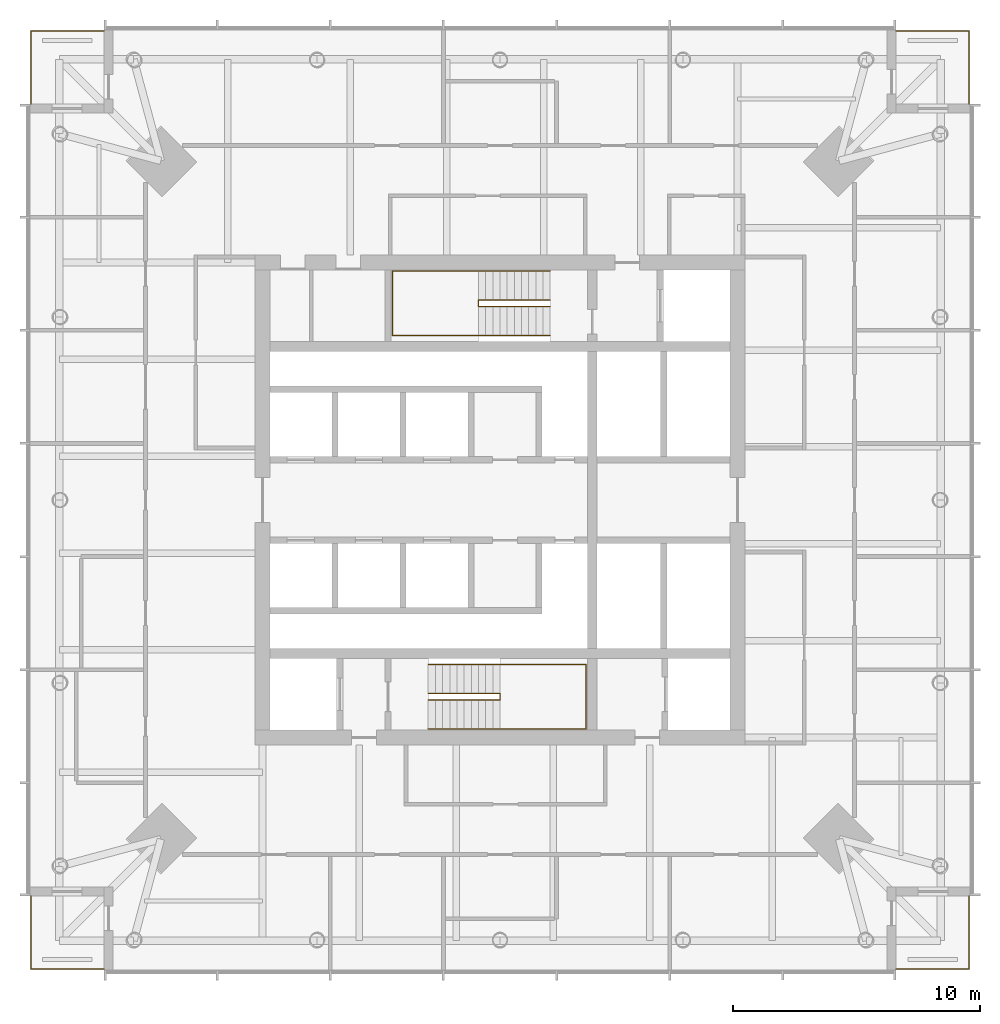
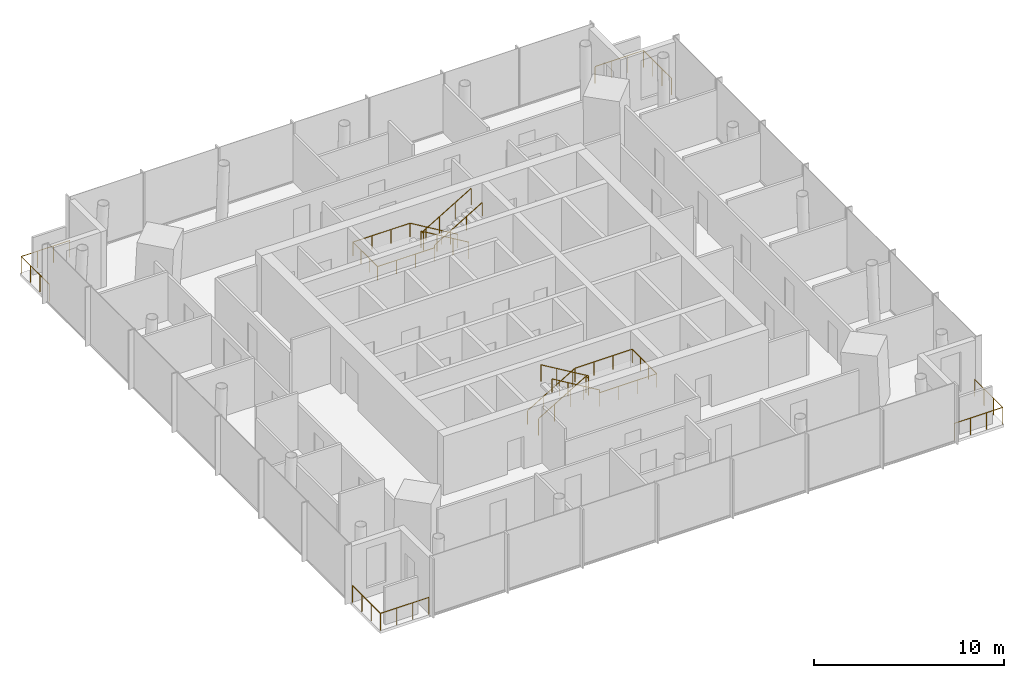
# One storey, part 7 of 7: 8 railings.
"""IFC4 building model written with IfcOpenShell, lengths in metres."""

import ifcopenshell
import ifcopenshell.guid

model = None  # the IFC model being written
_history = None  # IfcOwnerHistory: only IFC2X3 demands one
_inside = {}  # id of a spatial element -> (the spatial element, [elements in it])
_under = {}  # id of a project, library or spatial element -> (it, [spatial elements below it])
_declared = {}  # id of a project -> (the project, [libraries it declares])
_typed = {}  # id of a type object -> (the type object, [elements of that type])
_made_of = {}  # id of a material, layer set ... -> (it, [elements and type objects made of it])


def new_model(schema):
    """Start an empty IFC model of exactly this schema.

    Asked for "IFC4X3", IfcOpenShell would pick the latest addendum, in which some entities
    have other attributes; the version numbers below select the first issue.
    IFC2X3 requires an IfcOwnerHistory on every rooted entity: one is made here for all.
    """
    global model, _history
    if schema == "IFC4X3":
        model = ifcopenshell.file(schema_version=(4, 3, 0, 0))
    else:
        model = ifcopenshell.file(schema=schema)
    _inside.clear()
    _under.clear()
    _declared.clear()
    _typed.clear()
    _made_of.clear()
    _history = None
    if model.schema == "IFC2X3":
        org = make("IfcOrganization", Name="unknown")
        user = make(
            "IfcPersonAndOrganization",
            ThePerson=make("IfcPerson", FamilyName="unknown"),
            TheOrganization=org,
        )
        app = make(
            "IfcApplication",
            ApplicationDeveloper=org,
            Version="unknown",
            ApplicationFullName="unknown",
            ApplicationIdentifier="unknown",
        )
        _history = make(
            "IfcOwnerHistory",
            OwningUser=user,
            OwningApplication=app,
            ChangeAction="ADDED",
            CreationDate=0,
        )
    return model


def make(cls, **values):
    """One entity of the class cls with the attributes given. An attribute that is None is left unset."""
    return model.create_entity(
        cls, **{name: value for name, value in values.items() if value is not None}
    )


def rooted(cls, **values):
    """An entity with a GlobalId (a new one), such as an element, a storey or a relation."""
    return make(cls, GlobalId=ifcopenshell.guid.new(), OwnerHistory=_history, **values)


def si_unit(unit_type, name, prefix=None):
    """IfcSIUnit, for example si_unit("LENGTHUNIT", "METRE", prefix="MILLI")."""
    return make("IfcSIUnit", UnitType=unit_type, Prefix=prefix, Name=name)


def assignment(units):
    """IfcUnitAssignment: the units of a project."""
    return None if units is None else make("IfcUnitAssignment", Units=units)


def point(xyz):
    """IfcCartesianPoint."""
    return None if xyz is None else make("IfcCartesianPoint", Coordinates=xyz)


def direction(xyz):
    """IfcDirection."""
    return None if xyz is None else make("IfcDirection", DirectionRatios=xyz)


def frame(location, z_axis=None, x_axis=None):
    """IfcAxis2Placement3D, a coordinate frame: its origin and axes. An axis left out is left unset."""
    return make(
        "IfcAxis2Placement3D",
        Location=point(location),
        Axis=direction(z_axis),
        RefDirection=direction(x_axis),
    )


def frame_2d(location, x_axis=None):
    """IfcAxis2Placement2D, a coordinate frame in the plane: its origin and x axis."""
    return make(
        "IfcAxis2Placement2D", Location=point(location), RefDirection=direction(x_axis)
    )


def origin():
    """The frame at (0, 0, 0) with its axes left unset."""
    return frame((0.0, 0.0, 0.0))


def origin_2d():
    """The frame at (0, 0) in the plane with its x axis left unset."""
    return frame_2d((0.0, 0.0))


def place(relative_to, where):
    """IfcLocalPlacement: puts the frame where relative to a parent placement (None: the world)."""
    return make(
        "IfcLocalPlacement", PlacementRelTo=relative_to, RelativePlacement=where
    )


def context(
    kind, dimensions, precision=None, world=None, true_north=None, identifier=None
):
    """IfcGeometricRepresentationContext, for example the 3D "Model" context."""
    return make(
        "IfcGeometricRepresentationContext",
        ContextIdentifier=identifier,
        ContextType=kind,
        CoordinateSpaceDimension=dimensions,
        Precision=precision,
        WorldCoordinateSystem=world,
        TrueNorth=true_north,
    )


def subcontext(parent, identifier, kind, view, scale=None):
    """IfcGeometricRepresentationSubContext, for example "Body" below "Model"."""
    return make(
        "IfcGeometricRepresentationSubContext",
        ContextIdentifier=identifier,
        ContextType=kind,
        ParentContext=parent,
        TargetScale=scale,
        TargetView=view,
    )


def project(units=None, contexts=None):
    """IfcProject with its units and contexts."""
    return rooted(
        "IfcProject",
        Name="project",
        RepresentationContexts=contexts,
        UnitsInContext=assignment(units),
    )


def spatial(cls, under=None, at=None, **own):
    """A site, building, storey or space (cls), placed at a placement, below another one or the project."""
    s = rooted(cls, ObjectPlacement=at, **own)
    if under is not None:
        _under.setdefault(under.id(), (under, []))[1].append(s)
    return s


def profile(cls, at=None, kind="AREA", **sizes):
    """A parametric profile (cls). Its sizes go by their IFC names, for example OverallWidth=200.0."""
    return make(cls, ProfileType=kind, Position=at, **sizes)


def circle(**sizes):
    """IfcCircleProfileDef."""
    return profile("IfcCircleProfileDef", **sizes)


def extrude(swept, where, along, depth):
    """IfcExtrudedAreaSolid: the profile swept, set in the frame where, extruded along a direction by depth."""
    return make(
        "IfcExtrudedAreaSolid",
        SweptArea=swept,
        Position=where,
        ExtrudedDirection=direction(along),
        Depth=depth,
    )


def shape(context_of_items, identifier, shape_type, items):
    """IfcShapeRepresentation: the items that make up one representation, for example the "Body"."""
    return make(
        "IfcShapeRepresentation",
        ContextOfItems=context_of_items,
        RepresentationIdentifier=identifier,
        RepresentationType=shape_type,
        Items=items,
    )


def material(Name=None, Category=None):
    """IfcMaterial."""
    return make("IfcMaterial", Name=Name, Category=Category)


def made_of(thing, what):
    """Note that an element or type object is made of a material, layer set ...; save() writes the relation."""
    if what is not None:
        _made_of.setdefault(what.id(), (what, []))[1].append(thing)
    return thing


def type_object(cls, material=None, **own):
    """A type object (cls), such as IfcWallType, which elements share."""
    return made_of(rooted(cls, **own), material)


def element(
    cls,
    number,
    at=None,
    inside=None,
    cuts=None,
    type_object=None,
    material=None,
    context=None,
    identifier="Body",
    shape_type=None,
    held_by="IfcProductDefinitionShape",
    body=None,
    shapes=None,
    **own,
):
    """One element of the class cls, such as IfcWall. Its Tag is "e" and its number.

    at: its placement. inside: the storey or other place that contains it. cuts: it is an
    opening in that element (IfcRelVoidsElement). A single representation is given by context,
    identifier, shape_type and body (its items); several are given by shapes. held_by: the class
    of the entity that holds the representations. save() writes the other relations.
    """
    e = rooted(cls, Tag="e%d" % number, ObjectPlacement=at, **own)
    if body is not None:
        shapes = [shape(context, identifier, shape_type, body)]
    if shapes is not None:
        e.Representation = make(held_by, Representations=shapes)
    if inside is not None:
        _inside.setdefault(inside.id(), (inside, []))[1].append(e)
    if cuts is not None:
        rooted(
            "IfcRelVoidsElement", RelatingBuildingElement=cuts, RelatedOpeningElement=e
        )
    if type_object is not None:
        _typed.setdefault(type_object.id(), (type_object, []))[1].append(e)
    return made_of(e, material)


def aggregate(whole, parts):
    """IfcRelAggregates: a whole, such as a stair, and the parts it consists of."""
    return rooted("IfcRelAggregates", RelatingObject=whole, RelatedObjects=parts)


def save(model, path):
    """Write the relations noted so far, then the file.

    IfcRelAggregates (storeys below a building ...), IfcRelContainedInSpatialStructure (elements
    in a storey), IfcRelDefinesByType, IfcRelAssociatesMaterial and IfcRelDeclares: one each for
    every whole, place, type object, material and project.
    """
    for whole, parts in _under.values():
        aggregate(whole, parts)
    for where, things in _inside.values():
        rooted(
            "IfcRelContainedInSpatialStructure",
            RelatedElements=things,
            RelatingStructure=where,
        )
    for kind, things in _typed.values():
        rooted("IfcRelDefinesByType", RelatedObjects=things, RelatingType=kind)
    for what, things in _made_of.values():
        rooted("IfcRelAssociatesMaterial", RelatedObjects=things, RelatingMaterial=what)
    for by, libraries in _declared.values():
        rooted("IfcRelDeclares", RelatingContext=by, RelatedDefinitions=libraries)
    model.write(path)


model = new_model("IFC4")

# Units and contexts
model_context = context("Model", 3, precision=1e-05, world=origin(), true_north=direction((0.0, 1.0)))
body_context = subcontext(model_context, "Body", "Model", "MODEL_VIEW")
ifc_project = project(units=[si_unit("LENGTHUNIT", "METRE"), si_unit("AREAUNIT", "SQUARE_METRE"), si_unit("VOLUMEUNIT", "CUBIC_METRE"), si_unit("PLANEANGLEUNIT", "RADIAN"), si_unit("MASSUNIT", "GRAM", prefix="KILO")], contexts=[model_context])

# Site, building, storey
site_placement = place(None, origin())
site = spatial("IfcSite", under=ifc_project, at=site_placement, CompositionType="ELEMENT")
building_placement = place(site_placement, origin())
building = spatial("IfcBuilding", under=site, at=building_placement, Name="Ostroluk Exchange", CompositionType="ELEMENT")
storey_placement = place(building_placement, frame((0.0, 0.0, 214.800048828125)))
storey = spatial("IfcBuildingStorey", under=building, at=storey_placement, Name="L55", CompositionType="ELEMENT", Elevation=214.800048828125)

# Railings
ifc_material_1 = material(Name="Stainless steel", Category="steel")
railing_type_1 = type_object("IfcRailingType", Name="Guard 1100 stainless steel", PredefinedType="GUARDRAIL", material=ifc_material_1)
railing_1_placement = place(storey_placement, frame((61.0, 27.050048828125, 0.0)))
element("IfcRailing", 1, at=railing_1_placement, inside=storey, type_object=railing_type_1, Name="Office tower SE balcony guard L55", PredefinedType="GUARDRAIL", context=body_context, shape_type="SweptSolid", body=[
    extrude(circle(Radius=0.02392578125, at=origin_2d()), frame((0.0, 0.0, 1.076171875), z_axis=(1.0, 0.0, 0.0), x_axis=(0.0, 1.0, 0.0)), (0.0, 0.0, 1.0), 2.949951171875),
    extrude(circle(Radius=0.02392578125, at=origin_2d()), frame((2.949951171875, 0.0, 1.076171875), z_axis=(0.0, 1.0, 0.0), x_axis=(-1.0, 0.0, 0.0)), (0.0, 0.0, 1.0), 2.949951171875),
    extrude(circle(Radius=0.02099609375, at=origin_2d()), origin(), (0.0, 0.0, 1.0), 1.052001953125),
    extrude(circle(Radius=0.02099609375, at=origin_2d()), frame((0.9833984375, 0.0, 0.0)), (0.0, 0.0, 1.0), 1.052001953125),
    extrude(circle(Radius=0.02099609375, at=origin_2d()), frame((1.966552734375, 0.0, 0.0)), (0.0, 0.0, 1.0), 1.052001953125),
    extrude(circle(Radius=0.02099609375, at=origin_2d()), frame((2.949951171875, 0.0, 0.0)), (0.0, 0.0, 1.0), 1.052001953125),
    extrude(circle(Radius=0.02099609375, at=origin_2d()), frame((2.949951171875, 0.9833984375, 0.0)), (0.0, 0.0, 1.0), 1.052001953125),
    extrude(circle(Radius=0.02099609375, at=origin_2d()), frame((2.949951171875, 1.966552734375, 0.0)), (0.0, 0.0, 1.0), 1.052001953125),
    extrude(circle(Radius=0.02099609375, at=origin_2d()), frame((2.949951171875, 2.949951171875, 0.0)), (0.0, 0.0, 1.0), 1.052001953125),
])
railing_2_placement = place(storey_placement, frame((61.0, 64.949951171875, 0.0)))
element("IfcRailing", 2, at=railing_2_placement, inside=storey, type_object=railing_type_1, Name="Office tower NE balcony guard L55", PredefinedType="GUARDRAIL", context=body_context, shape_type="SweptSolid", body=[
    extrude(circle(Radius=0.02392578125, at=origin_2d()), frame((0.0, 0.0, 1.076171875), z_axis=(1.0, 0.0, 0.0), x_axis=(0.0, 1.0, 0.0)), (0.0, 0.0, 1.0), 2.949951171875),
    extrude(circle(Radius=0.02392578125, at=origin_2d()), frame((2.949951171875, 0.0, 1.076171875), z_axis=(0.0, -1.0, 0.0), x_axis=(1.0, 0.0, 0.0)), (0.0, 0.0, 1.0), 2.949951171875),
    extrude(circle(Radius=0.02099609375, at=origin_2d()), origin(), (0.0, 0.0, 1.0), 1.052001953125),
    extrude(circle(Radius=0.02099609375, at=origin_2d()), frame((0.9833984375, 0.0, 0.0)), (0.0, 0.0, 1.0), 1.052001953125),
    extrude(circle(Radius=0.02099609375, at=origin_2d()), frame((1.966552734375, 0.0, 0.0)), (0.0, 0.0, 1.0), 1.052001953125),
    extrude(circle(Radius=0.02099609375, at=origin_2d()), frame((2.949951171875, 0.0, 0.0)), (0.0, 0.0, 1.0), 1.052001953125),
    extrude(circle(Radius=0.02099609375, at=origin_2d()), frame((2.949951171875, -0.9833984375, 0.0)), (0.0, 0.0, 1.0), 1.052001953125),
    extrude(circle(Radius=0.02099609375, at=origin_2d()), frame((2.949951171875, -1.966552734375, 0.0)), (0.0, 0.0, 1.0), 1.052001953125),
    extrude(circle(Radius=0.02099609375, at=origin_2d()), frame((2.949951171875, -2.949951171875, 0.0)), (0.0, 0.0, 1.0), 1.052001953125),
])
railing_3_placement = place(storey_placement, frame((29.0, 64.949951171875, 0.0)))
element("IfcRailing", 3, at=railing_3_placement, inside=storey, type_object=railing_type_1, Name="Office tower NW balcony guard L55", PredefinedType="GUARDRAIL", context=body_context, shape_type="SweptSolid", body=[
    extrude(circle(Radius=0.02392578125, at=origin_2d()), frame((0.0, 0.0, 1.076171875), z_axis=(-1.0, 0.0, 0.0), x_axis=(0.0, -1.0, 0.0)), (0.0, 0.0, 1.0), 2.949951171875),
    extrude(circle(Radius=0.02392578125, at=origin_2d()), frame((-2.949951171875, 0.0, 1.076171875), z_axis=(0.0, -1.0, 0.0), x_axis=(1.0, 0.0, 0.0)), (0.0, 0.0, 1.0), 2.949951171875),
    extrude(circle(Radius=0.02099609375, at=origin_2d()), origin(), (0.0, 0.0, 1.0), 1.052001953125),
    extrude(circle(Radius=0.02099609375, at=origin_2d()), frame((-0.9833984375, 0.0, 0.0)), (0.0, 0.0, 1.0), 1.052001953125),
    extrude(circle(Radius=0.02099609375, at=origin_2d()), frame((-1.966552734375, 0.0, 0.0)), (0.0, 0.0, 1.0), 1.052001953125),
    extrude(circle(Radius=0.02099609375, at=origin_2d()), frame((-2.949951171875, 0.0, 0.0)), (0.0, 0.0, 1.0), 1.052001953125),
    extrude(circle(Radius=0.02099609375, at=origin_2d()), frame((-2.949951171875, -0.9833984375, 0.0)), (0.0, 0.0, 1.0), 1.052001953125),
    extrude(circle(Radius=0.02099609375, at=origin_2d()), frame((-2.949951171875, -1.966552734375, 0.0)), (0.0, 0.0, 1.0), 1.052001953125),
    extrude(circle(Radius=0.02099609375, at=origin_2d()), frame((-2.949951171875, -2.949951171875, 0.0)), (0.0, 0.0, 1.0), 1.052001953125),
])
railing_4_placement = place(storey_placement, frame((29.0, 27.050048828125, 0.0)))
element("IfcRailing", 4, at=railing_4_placement, inside=storey, type_object=railing_type_1, Name="Office tower SW balcony guard L55", PredefinedType="GUARDRAIL", context=body_context, shape_type="SweptSolid", body=[
    extrude(circle(Radius=0.02392578125, at=origin_2d()), frame((0.0, 0.0, 1.076171875), z_axis=(-1.0, 0.0, 0.0), x_axis=(0.0, -1.0, 0.0)), (0.0, 0.0, 1.0), 2.949951171875),
    extrude(circle(Radius=0.02392578125, at=origin_2d()), frame((-2.949951171875, 0.0, 1.076171875), z_axis=(0.0, 1.0, 0.0), x_axis=(-1.0, 0.0, 0.0)), (0.0, 0.0, 1.0), 2.949951171875),
    extrude(circle(Radius=0.02099609375, at=origin_2d()), origin(), (0.0, 0.0, 1.0), 1.052001953125),
    extrude(circle(Radius=0.02099609375, at=origin_2d()), frame((-0.9833984375, 0.0, 0.0)), (0.0, 0.0, 1.0), 1.052001953125),
    extrude(circle(Radius=0.02099609375, at=origin_2d()), frame((-1.966552734375, 0.0, 0.0)), (0.0, 0.0, 1.0), 1.052001953125),
    extrude(circle(Radius=0.02099609375, at=origin_2d()), frame((-2.949951171875, 0.0, 0.0)), (0.0, 0.0, 1.0), 1.052001953125),
    extrude(circle(Radius=0.02099609375, at=origin_2d()), frame((-2.949951171875, 0.9833984375, 0.0)), (0.0, 0.0, 1.0), 1.052001953125),
    extrude(circle(Radius=0.02099609375, at=origin_2d()), frame((-2.949951171875, 1.966552734375, 0.0)), (0.0, 0.0, 1.0), 1.052001953125),
    extrude(circle(Radius=0.02099609375, at=origin_2d()), frame((-2.949951171875, 2.949951171875, 0.0)), (0.0, 0.0, 1.0), 1.052001953125),
])
ifc_material_2 = material(Name="Steel S355", Category="steel")
railing_type_2 = type_object("IfcRailingType", Name="Stair guard 1100", PredefinedType="GUARDRAIL", material=ifc_material_2)
railing_5_placement = place(storey_placement, frame((42.10009765625, 38.179931640625, 0.172607421875)))
element("IfcRailing", 5, at=railing_5_placement, inside=storey, type_object=railing_type_2, Name="Stair T1-S1 guard L55", PredefinedType="GUARDRAIL", context=body_context, shape_type="SweptSolid", body=[
    extrude(circle(Radius=0.02392578125, at=origin_2d()), frame((0.0, 0.0, 1.076171875), z_axis=(0.859141464434, 0.0, 0.511738159696), x_axis=(0.0, 1.0, 0.0)), (0.0, 0.0, 1.0), 3.375244140625),
    extrude(circle(Radius=0.02392578125, at=origin_2d()), frame((2.89990234375, 0.0, 2.80322265625), z_axis=(0.0, -1.0, 0.0), x_axis=(1.0, 0.0, 0.0)), (0.0, 0.0, 1.0), 0.260009765625),
    extrude(circle(Radius=0.02392578125, at=origin_2d()), frame((2.89990234375, -0.260009765625, 2.80322265625), z_axis=(0.0, 0.0, 1.0), x_axis=(1.0, 0.0, 0.0)), (0.0, 0.0, 1.0), 0.1728515625),
    extrude(circle(Radius=0.02392578125, at=origin_2d()), frame((2.89990234375, -0.260009765625, 2.97607421875), z_axis=(-0.859141464434, 0.0, 0.511738159696), x_axis=(0.0, -1.0, 0.0)), (0.0, 0.0, 1.0), 3.375244140625),
    extrude(circle(Radius=0.02099609375, at=origin_2d()), origin(), (0.0, 0.0, 1.0), 1.052001953125),
    extrude(circle(Radius=0.02099609375, at=origin_2d()), frame((0.966552734375, 0.0, 0.57568359375)), (0.0, 0.0, 1.0), 1.052001953125),
    extrude(circle(Radius=0.02099609375, at=origin_2d()), frame((1.933349609375, 0.0, 1.151611328125)), (0.0, 0.0, 1.0), 1.052001953125),
    extrude(circle(Radius=0.02099609375, at=origin_2d()), frame((2.89990234375, 0.0, 1.727294921875)), (0.0, 0.0, 1.0), 1.052001953125),
    extrude(circle(Radius=0.02099609375, at=origin_2d()), frame((2.89990234375, -0.260009765625, 1.727294921875)), (0.0, 0.0, 1.0), 1.052001953125),
    extrude(circle(Radius=0.02099609375, at=origin_2d()), frame((2.89990234375, -0.260009765625, 1.900146484375)), (0.0, 0.0, 1.0), 1.052001953125),
    extrude(circle(Radius=0.02099609375, at=origin_2d()), frame((1.933349609375, -0.260009765625, 2.475830078125)), (0.0, 0.0, 1.0), 1.052001953125),
    extrude(circle(Radius=0.02099609375, at=origin_2d()), frame((0.966552734375, -0.260009765625, 3.0517578125)), (0.0, 0.0, 1.0), 1.052001953125),
    extrude(circle(Radius=0.02099609375, at=origin_2d()), frame((0.0, -0.260009765625, 3.62744140625)), (0.0, 0.0, 1.0), 1.052001953125),
])
railing_6_placement = place(storey_placement, frame((47.030029296875, 54.080078125, 0.172607421875)))
element("IfcRailing", 6, at=railing_6_placement, inside=storey, type_object=railing_type_2, Name="Stair T1-S2 guard L55", PredefinedType="GUARDRAIL", context=body_context, shape_type="SweptSolid", body=[
    extrude(circle(Radius=0.02392578125, at=origin_2d()), frame((0.0, 0.0, 1.076171875), z_axis=(-0.859160404282, 0.0, 0.51170636083), x_axis=(0.0, -1.0, 0.0)), (0.0, 0.0, 1.0), 3.37548828125),
    extrude(circle(Radius=0.02392578125, at=origin_2d()), frame((-2.900146484375, 0.0, 2.80322265625), z_axis=(0.0, -1.0, 0.0), x_axis=(1.0, 0.0, 0.0)), (0.0, 0.0, 1.0), 0.260009765625),
    extrude(circle(Radius=0.02392578125, at=origin_2d()), frame((-2.900146484375, -0.260009765625, 2.80322265625), z_axis=(0.0, 0.0, 1.0), x_axis=(1.0, 0.0, 0.0)), (0.0, 0.0, 1.0), 0.1728515625),
    extrude(circle(Radius=0.02392578125, at=origin_2d()), frame((-2.900146484375, -0.260009765625, 2.97607421875), z_axis=(0.859160404282, 0.0, 0.51170636083), x_axis=(0.0, 1.0, 0.0)), (0.0, 0.0, 1.0), 3.37548828125),
    extrude(circle(Radius=0.02099609375, at=origin_2d()), origin(), (0.0, 0.0, 1.0), 1.052001953125),
    extrude(circle(Radius=0.02099609375, at=origin_2d()), frame((-0.966796875, 0.0, 0.57568359375)), (0.0, 0.0, 1.0), 1.052001953125),
    extrude(circle(Radius=0.02099609375, at=origin_2d()), frame((-1.933349609375, 0.0, 1.151611328125)), (0.0, 0.0, 1.0), 1.052001953125),
    extrude(circle(Radius=0.02099609375, at=origin_2d()), frame((-2.900146484375, 0.0, 1.727294921875)), (0.0, 0.0, 1.0), 1.052001953125),
    extrude(circle(Radius=0.02099609375, at=origin_2d()), frame((-2.900146484375, -0.260009765625, 1.727294921875)), (0.0, 0.0, 1.0), 1.052001953125),
    extrude(circle(Radius=0.02099609375, at=origin_2d()), frame((-2.900146484375, -0.260009765625, 1.900146484375)), (0.0, 0.0, 1.0), 1.052001953125),
    extrude(circle(Radius=0.02099609375, at=origin_2d()), frame((-1.933349609375, -0.260009765625, 2.475830078125)), (0.0, 0.0, 1.0), 1.052001953125),
    extrude(circle(Radius=0.02099609375, at=origin_2d()), frame((-0.966796875, -0.260009765625, 3.0517578125)), (0.0, 0.0, 1.0), 1.052001953125),
    extrude(circle(Radius=0.02099609375, at=origin_2d()), frame((0.0, -0.260009765625, 3.62744140625)), (0.0, 0.0, 1.0), 1.052001953125),
])
ifc_material_3 = material(Name="Stainless steel", Category="steel")
railing_type_3 = type_object("IfcRailingType", Name="Stair handrail 900", PredefinedType="HANDRAIL", material=ifc_material_3)
railing_7_placement = place(storey_placement, frame((42.10009765625, 39.35009765625, 0.172607421875)))
element("IfcRailing", 7, at=railing_7_placement, inside=storey, type_object=railing_type_3, Name="Stair T1-S1 handrail L55", PredefinedType="HANDRAIL", context=body_context, shape_type="SweptSolid", body=[
    extrude(circle(Radius=0.02392578125, at=origin_2d()), frame((0.0, 0.0, 0.8759765625), z_axis=(0.859141464434, 0.0, 0.511738159696), x_axis=(0.0, 1.0, 0.0)), (0.0, 0.0, 1.0), 3.375244140625),
    extrude(circle(Radius=0.02392578125, at=origin_2d()), frame((2.89990234375, 0.0, 2.60302734375), z_axis=(1.0, 0.0, 0.0), x_axis=(0.0, 1.0, 0.0)), (0.0, 0.0, 1.0), 3.47998046875),
    extrude(circle(Radius=0.02392578125, at=origin_2d()), frame((6.3798828125, 0.0, 2.60302734375), z_axis=(0.0, -1.0, 0.0), x_axis=(1.0, 0.0, 0.0)), (0.0, 0.0, 1.0), 2.60009765625),
    extrude(circle(Radius=0.02392578125, at=origin_2d()), frame((6.3798828125, -2.60009765625, 2.60302734375), z_axis=(-1.0, 0.0, 0.0), x_axis=(0.0, -1.0, 0.0)), (0.0, 0.0, 1.0), 3.47998046875),
    extrude(circle(Radius=0.02392578125, at=origin_2d()), frame((2.89990234375, -2.60009765625, 2.60302734375), z_axis=(0.0, 0.0, 1.0), x_axis=(1.0, 0.0, 0.0)), (0.0, 0.0, 1.0), 0.1728515625),
    extrude(circle(Radius=0.02392578125, at=origin_2d()), frame((2.89990234375, -2.60009765625, 2.77587890625), z_axis=(-0.859141464434, 0.0, 0.511738159696), x_axis=(0.0, -1.0, 0.0)), (0.0, 0.0, 1.0), 3.375244140625),
    extrude(circle(Radius=0.02099609375, at=origin_2d()), origin(), (0.0, 0.0, 1.0), 0.851806640625),
    extrude(circle(Radius=0.02099609375, at=origin_2d()), frame((0.966552734375, 0.0, 0.57568359375)), (0.0, 0.0, 1.0), 0.851806640625),
    extrude(circle(Radius=0.02099609375, at=origin_2d()), frame((1.933349609375, 0.0, 1.151611328125)), (0.0, 0.0, 1.0), 0.851806640625),
    extrude(circle(Radius=0.02099609375, at=origin_2d()), frame((2.89990234375, 0.0, 1.727294921875)), (0.0, 0.0, 1.0), 0.851806640625),
    extrude(circle(Radius=0.02099609375, at=origin_2d()), frame((4.059814453125, 0.0, 1.727294921875)), (0.0, 0.0, 1.0), 0.851806640625),
    extrude(circle(Radius=0.02099609375, at=origin_2d()), frame((5.219970703125, 0.0, 1.727294921875)), (0.0, 0.0, 1.0), 0.851806640625),
    extrude(circle(Radius=0.02099609375, at=origin_2d()), frame((6.3798828125, 0.0, 1.727294921875)), (0.0, 0.0, 1.0), 0.851806640625),
    extrude(circle(Radius=0.02099609375, at=origin_2d()), frame((6.3798828125, -0.86669921875, 1.727294921875)), (0.0, 0.0, 1.0), 0.851806640625),
    extrude(circle(Radius=0.02099609375, at=origin_2d()), frame((6.3798828125, -1.7333984375, 1.727294921875)), (0.0, 0.0, 1.0), 0.851806640625),
    extrude(circle(Radius=0.02099609375, at=origin_2d()), frame((6.3798828125, -2.60009765625, 1.727294921875)), (0.0, 0.0, 1.0), 0.851806640625),
    extrude(circle(Radius=0.02099609375, at=origin_2d()), frame((5.219970703125, -2.60009765625, 1.727294921875)), (0.0, 0.0, 1.0), 0.851806640625),
    extrude(circle(Radius=0.02099609375, at=origin_2d()), frame((4.059814453125, -2.60009765625, 1.727294921875)), (0.0, 0.0, 1.0), 0.851806640625),
    extrude(circle(Radius=0.02099609375, at=origin_2d()), frame((2.89990234375, -2.60009765625, 1.727294921875)), (0.0, 0.0, 1.0), 0.851806640625),
    extrude(circle(Radius=0.02099609375, at=origin_2d()), frame((2.89990234375, -2.60009765625, 1.900146484375)), (0.0, 0.0, 1.0), 0.851806640625),
    extrude(circle(Radius=0.02099609375, at=origin_2d()), frame((1.933349609375, -2.60009765625, 2.475830078125)), (0.0, 0.0, 1.0), 0.851806640625),
    extrude(circle(Radius=0.02099609375, at=origin_2d()), frame((0.966552734375, -2.60009765625, 3.0517578125)), (0.0, 0.0, 1.0), 0.851806640625),
    extrude(circle(Radius=0.02099609375, at=origin_2d()), frame((0.0, -2.60009765625, 3.62744140625)), (0.0, 0.0, 1.0), 0.851806640625),
])
railing_8_placement = place(storey_placement, frame((47.030029296875, 55.25, 0.172607421875)))
element("IfcRailing", 8, at=railing_8_placement, inside=storey, type_object=railing_type_3, Name="Stair T1-S2 handrail L55", PredefinedType="HANDRAIL", context=body_context, shape_type="SweptSolid", body=[
    extrude(circle(Radius=0.02392578125, at=origin_2d()), frame((0.0, 0.0, 0.8759765625), z_axis=(-0.859160404282, 0.0, 0.51170636083), x_axis=(0.0, -1.0, 0.0)), (0.0, 0.0, 1.0), 3.37548828125),
    extrude(circle(Radius=0.02392578125, at=origin_2d()), frame((-2.900146484375, 0.0, 2.60302734375), z_axis=(-1.0, 0.0, 0.0), x_axis=(0.0, -1.0, 0.0)), (0.0, 0.0, 1.0), 3.47998046875),
    extrude(circle(Radius=0.02392578125, at=origin_2d()), frame((-6.380126953125, 0.0, 2.60302734375), z_axis=(0.0, -1.0, 0.0), x_axis=(1.0, 0.0, 0.0)), (0.0, 0.0, 1.0), 2.60009765625),
    extrude(circle(Radius=0.02392578125, at=origin_2d()), frame((-6.380126953125, -2.60009765625, 2.60302734375), z_axis=(1.0, 0.0, 0.0), x_axis=(0.0, 1.0, 0.0)), (0.0, 0.0, 1.0), 3.47998046875),
    extrude(circle(Radius=0.02392578125, at=origin_2d()), frame((-2.900146484375, -2.60009765625, 2.60302734375), z_axis=(0.0, 0.0, 1.0), x_axis=(1.0, 0.0, 0.0)), (0.0, 0.0, 1.0), 0.1728515625),
    extrude(circle(Radius=0.02392578125, at=origin_2d()), frame((-2.900146484375, -2.60009765625, 2.77587890625), z_axis=(0.859160404282, 0.0, 0.51170636083), x_axis=(0.0, 1.0, 0.0)), (0.0, 0.0, 1.0), 3.37548828125),
    extrude(circle(Radius=0.02099609375, at=origin_2d()), origin(), (0.0, 0.0, 1.0), 0.851806640625),
    extrude(circle(Radius=0.02099609375, at=origin_2d()), frame((-0.966796875, 0.0, 0.57568359375)), (0.0, 0.0, 1.0), 0.851806640625),
    extrude(circle(Radius=0.02099609375, at=origin_2d()), frame((-1.933349609375, 0.0, 1.151611328125)), (0.0, 0.0, 1.0), 0.851806640625),
    extrude(circle(Radius=0.02099609375, at=origin_2d()), frame((-2.900146484375, 0.0, 1.727294921875)), (0.0, 0.0, 1.0), 0.851806640625),
    extrude(circle(Radius=0.02099609375, at=origin_2d()), frame((-4.06005859375, 0.0, 1.727294921875)), (0.0, 0.0, 1.0), 0.851806640625),
    extrude(circle(Radius=0.02099609375, at=origin_2d()), frame((-5.22021484375, 0.0, 1.727294921875)), (0.0, 0.0, 1.0), 0.851806640625),
    extrude(circle(Radius=0.02099609375, at=origin_2d()), frame((-6.380126953125, 0.0, 1.727294921875)), (0.0, 0.0, 1.0), 0.851806640625),
    extrude(circle(Radius=0.02099609375, at=origin_2d()), frame((-6.380126953125, -0.86669921875, 1.727294921875)), (0.0, 0.0, 1.0), 0.851806640625),
    extrude(circle(Radius=0.02099609375, at=origin_2d()), frame((-6.380126953125, -1.7333984375, 1.727294921875)), (0.0, 0.0, 1.0), 0.851806640625),
    extrude(circle(Radius=0.02099609375, at=origin_2d()), frame((-6.380126953125, -2.60009765625, 1.727294921875)), (0.0, 0.0, 1.0), 0.851806640625),
    extrude(circle(Radius=0.02099609375, at=origin_2d()), frame((-5.22021484375, -2.60009765625, 1.727294921875)), (0.0, 0.0, 1.0), 0.851806640625),
    extrude(circle(Radius=0.02099609375, at=origin_2d()), frame((-4.06005859375, -2.60009765625, 1.727294921875)), (0.0, 0.0, 1.0), 0.851806640625),
    extrude(circle(Radius=0.02099609375, at=origin_2d()), frame((-2.900146484375, -2.60009765625, 1.727294921875)), (0.0, 0.0, 1.0), 0.851806640625),
    extrude(circle(Radius=0.02099609375, at=origin_2d()), frame((-2.900146484375, -2.60009765625, 1.900146484375)), (0.0, 0.0, 1.0), 0.851806640625),
    extrude(circle(Radius=0.02099609375, at=origin_2d()), frame((-1.933349609375, -2.60009765625, 2.475830078125)), (0.0, 0.0, 1.0), 0.851806640625),
    extrude(circle(Radius=0.02099609375, at=origin_2d()), frame((-0.966796875, -2.60009765625, 3.0517578125)), (0.0, 0.0, 1.0), 0.851806640625),
    extrude(circle(Radius=0.02099609375, at=origin_2d()), frame((0.0, -2.60009765625, 3.62744140625)), (0.0, 0.0, 1.0), 0.851806640625),
])

save(model, "model.ifc")
